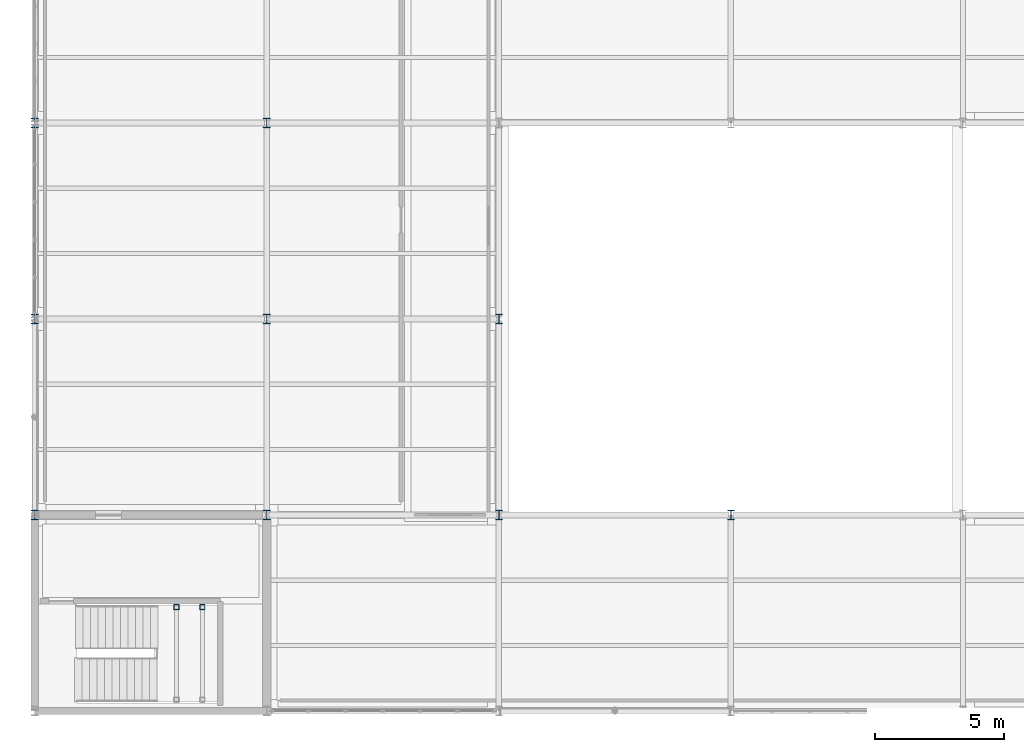
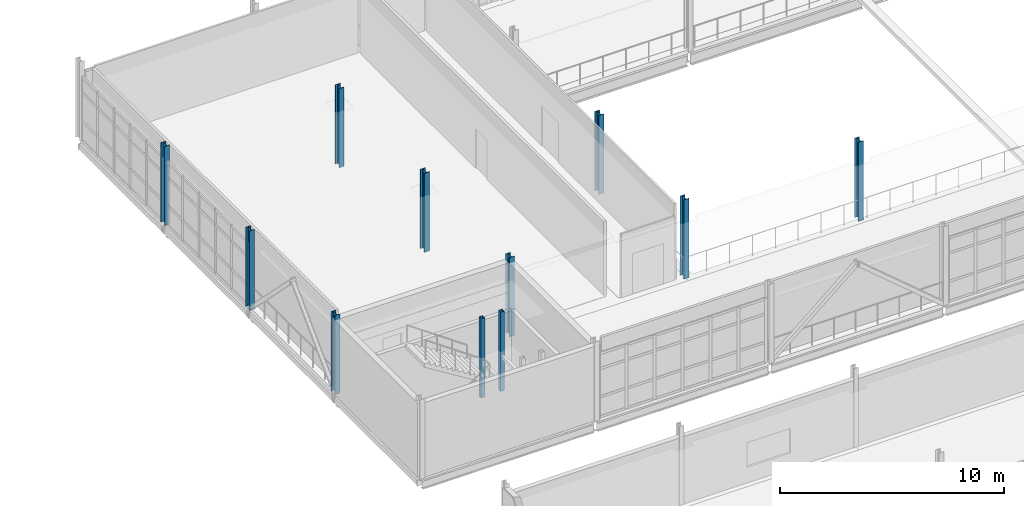
# One storey, part 5 of 174: 11 columns.
"""IFC4 building model written with IfcOpenShell, lengths in metres."""

import ifcopenshell
import ifcopenshell.guid

model = None  # the IFC model being written
_history = None  # IfcOwnerHistory: only IFC2X3 demands one
_inside = {}  # id of a spatial element -> (the spatial element, [elements in it])
_under = {}  # id of a project, library or spatial element -> (it, [spatial elements below it])
_declared = {}  # id of a project -> (the project, [libraries it declares])
_typed = {}  # id of a type object -> (the type object, [elements of that type])
_made_of = {}  # id of a material, layer set ... -> (it, [elements and type objects made of it])


def new_model(schema):
    """Start an empty IFC model of exactly this schema.

    Asked for "IFC4X3", IfcOpenShell would pick the latest addendum, in which some entities
    have other attributes; the version numbers below select the first issue.
    IFC2X3 requires an IfcOwnerHistory on every rooted entity: one is made here for all.
    """
    global model, _history
    if schema == "IFC4X3":
        model = ifcopenshell.file(schema_version=(4, 3, 0, 0))
    else:
        model = ifcopenshell.file(schema=schema)
    _inside.clear()
    _under.clear()
    _declared.clear()
    _typed.clear()
    _made_of.clear()
    _history = None
    if model.schema == "IFC2X3":
        org = make("IfcOrganization", Name="unknown")
        user = make(
            "IfcPersonAndOrganization",
            ThePerson=make("IfcPerson", FamilyName="unknown"),
            TheOrganization=org,
        )
        app = make(
            "IfcApplication",
            ApplicationDeveloper=org,
            Version="unknown",
            ApplicationFullName="unknown",
            ApplicationIdentifier="unknown",
        )
        _history = make(
            "IfcOwnerHistory",
            OwningUser=user,
            OwningApplication=app,
            ChangeAction="ADDED",
            CreationDate=0,
        )
    return model


def make(cls, **values):
    """One entity of the class cls with the attributes given. An attribute that is None is left unset."""
    return model.create_entity(
        cls, **{name: value for name, value in values.items() if value is not None}
    )


def rooted(cls, **values):
    """An entity with a GlobalId (a new one), such as an element, a storey or a relation."""
    return make(cls, GlobalId=ifcopenshell.guid.new(), OwnerHistory=_history, **values)


def si_unit(unit_type, name, prefix=None):
    """IfcSIUnit, for example si_unit("LENGTHUNIT", "METRE", prefix="MILLI")."""
    return make("IfcSIUnit", UnitType=unit_type, Prefix=prefix, Name=name)


def assignment(units):
    """IfcUnitAssignment: the units of a project."""
    return None if units is None else make("IfcUnitAssignment", Units=units)


def point(xyz):
    """IfcCartesianPoint."""
    return None if xyz is None else make("IfcCartesianPoint", Coordinates=xyz)


def direction(xyz):
    """IfcDirection."""
    return None if xyz is None else make("IfcDirection", DirectionRatios=xyz)


def frame(location, z_axis=None, x_axis=None):
    """IfcAxis2Placement3D, a coordinate frame: its origin and axes. An axis left out is left unset."""
    return make(
        "IfcAxis2Placement3D",
        Location=point(location),
        Axis=direction(z_axis),
        RefDirection=direction(x_axis),
    )


def frame_2d(location, x_axis=None):
    """IfcAxis2Placement2D, a coordinate frame in the plane: its origin and x axis."""
    return make(
        "IfcAxis2Placement2D", Location=point(location), RefDirection=direction(x_axis)
    )


def origin():
    """The frame at (0, 0, 0) with its axes left unset."""
    return frame((0.0, 0.0, 0.0))


def origin_2d():
    """The frame at (0, 0) in the plane with its x axis left unset."""
    return frame_2d((0.0, 0.0))


def place(relative_to, where):
    """IfcLocalPlacement: puts the frame where relative to a parent placement (None: the world)."""
    return make(
        "IfcLocalPlacement", PlacementRelTo=relative_to, RelativePlacement=where
    )


def context(
    kind, dimensions, precision=None, world=None, true_north=None, identifier=None
):
    """IfcGeometricRepresentationContext, for example the 3D "Model" context."""
    return make(
        "IfcGeometricRepresentationContext",
        ContextIdentifier=identifier,
        ContextType=kind,
        CoordinateSpaceDimension=dimensions,
        Precision=precision,
        WorldCoordinateSystem=world,
        TrueNorth=true_north,
    )


def subcontext(parent, identifier, kind, view, scale=None):
    """IfcGeometricRepresentationSubContext, for example "Body" below "Model"."""
    return make(
        "IfcGeometricRepresentationSubContext",
        ContextIdentifier=identifier,
        ContextType=kind,
        ParentContext=parent,
        TargetScale=scale,
        TargetView=view,
    )


def project(units=None, contexts=None):
    """IfcProject with its units and contexts."""
    return rooted(
        "IfcProject",
        Name="project",
        RepresentationContexts=contexts,
        UnitsInContext=assignment(units),
    )


def spatial(cls, under=None, at=None, **own):
    """A site, building, storey or space (cls), placed at a placement, below another one or the project."""
    s = rooted(cls, ObjectPlacement=at, **own)
    if under is not None:
        _under.setdefault(under.id(), (under, []))[1].append(s)
    return s


def profile(cls, at=None, kind="AREA", **sizes):
    """A parametric profile (cls). Its sizes go by their IFC names, for example OverallWidth=200.0."""
    return make(cls, ProfileType=kind, Position=at, **sizes)


def hollow_rectangle(**sizes):
    """IfcRectangleHollowProfileDef."""
    return profile("IfcRectangleHollowProfileDef", **sizes)


def i_section(**sizes):
    """IfcIShapeProfileDef."""
    return profile("IfcIShapeProfileDef", **sizes)


def extrude(swept, where, along, depth):
    """IfcExtrudedAreaSolid: the profile swept, set in the frame where, extruded along a direction by depth."""
    return make(
        "IfcExtrudedAreaSolid",
        SweptArea=swept,
        Position=where,
        ExtrudedDirection=direction(along),
        Depth=depth,
    )


def shape(context_of_items, identifier, shape_type, items):
    """IfcShapeRepresentation: the items that make up one representation, for example the "Body"."""
    return make(
        "IfcShapeRepresentation",
        ContextOfItems=context_of_items,
        RepresentationIdentifier=identifier,
        RepresentationType=shape_type,
        Items=items,
    )


def material(Name=None, Category=None):
    """IfcMaterial."""
    return make("IfcMaterial", Name=Name, Category=Category)


def material_profile(
    of_material, cross_section, Name=None, Category=None, Priority=None
):
    """IfcMaterialProfile: a cross section and its material."""
    return make(
        "IfcMaterialProfile",
        Name=Name,
        Material=of_material,
        Profile=cross_section,
        Priority=Priority,
        Category=Category,
    )


def profile_set(profiles, Name=None, composite=None):
    """IfcMaterialProfileSet."""
    return make(
        "IfcMaterialProfileSet",
        Name=Name,
        MaterialProfiles=profiles,
        CompositeProfile=composite,
    )


def made_of(thing, what):
    """Note that an element or type object is made of a material, layer set ...; save() writes the relation."""
    if what is not None:
        _made_of.setdefault(what.id(), (what, []))[1].append(thing)
    return thing


def type_object(cls, material=None, **own):
    """A type object (cls), such as IfcWallType, which elements share."""
    return made_of(rooted(cls, **own), material)


def element(
    cls,
    number,
    at=None,
    inside=None,
    cuts=None,
    type_object=None,
    material=None,
    context=None,
    identifier="Body",
    shape_type=None,
    held_by="IfcProductDefinitionShape",
    body=None,
    shapes=None,
    **own,
):
    """One element of the class cls, such as IfcWall. Its Tag is "e" and its number.

    at: its placement. inside: the storey or other place that contains it. cuts: it is an
    opening in that element (IfcRelVoidsElement). A single representation is given by context,
    identifier, shape_type and body (its items); several are given by shapes. held_by: the class
    of the entity that holds the representations. save() writes the other relations.
    """
    e = rooted(cls, Tag="e%d" % number, ObjectPlacement=at, **own)
    if body is not None:
        shapes = [shape(context, identifier, shape_type, body)]
    if shapes is not None:
        e.Representation = make(held_by, Representations=shapes)
    if inside is not None:
        _inside.setdefault(inside.id(), (inside, []))[1].append(e)
    if cuts is not None:
        rooted(
            "IfcRelVoidsElement", RelatingBuildingElement=cuts, RelatedOpeningElement=e
        )
    if type_object is not None:
        _typed.setdefault(type_object.id(), (type_object, []))[1].append(e)
    return made_of(e, material)


def aggregate(whole, parts):
    """IfcRelAggregates: a whole, such as a stair, and the parts it consists of."""
    return rooted("IfcRelAggregates", RelatingObject=whole, RelatedObjects=parts)


def save(model, path):
    """Write the relations noted so far, then the file.

    IfcRelAggregates (storeys below a building ...), IfcRelContainedInSpatialStructure (elements
    in a storey), IfcRelDefinesByType, IfcRelAssociatesMaterial and IfcRelDeclares: one each for
    every whole, place, type object, material and project.
    """
    for whole, parts in _under.values():
        aggregate(whole, parts)
    for where, things in _inside.values():
        rooted(
            "IfcRelContainedInSpatialStructure",
            RelatedElements=things,
            RelatingStructure=where,
        )
    for kind, things in _typed.values():
        rooted("IfcRelDefinesByType", RelatedObjects=things, RelatingType=kind)
    for what, things in _made_of.values():
        rooted("IfcRelAssociatesMaterial", RelatedObjects=things, RelatingMaterial=what)
    for by, libraries in _declared.values():
        rooted("IfcRelDeclares", RelatingContext=by, RelatedDefinitions=libraries)
    model.write(path)


model = new_model("IFC4")

# Units and contexts
model_context = context("Model", 3, precision=1e-05, world=origin(), true_north=direction((0.0, 1.0)))
body_context = subcontext(model_context, "Body", "Model", "MODEL_VIEW")
ifc_project = project(units=[si_unit("LENGTHUNIT", "METRE"), si_unit("AREAUNIT", "SQUARE_METRE"), si_unit("VOLUMEUNIT", "CUBIC_METRE"), si_unit("PLANEANGLEUNIT", "RADIAN"), si_unit("MASSUNIT", "GRAM", prefix="KILO")], contexts=[model_context])

# Site, building, storey
site_placement = place(None, origin())
site = spatial("IfcSite", under=ifc_project, at=site_placement, CompositionType="ELEMENT")
building_placement = place(site_placement, origin())
building = spatial("IfcBuilding", under=site, at=building_placement, Name="Caisbarro Railhouse Central Library", CompositionType="ELEMENT")
storey_placement = place(building_placement, frame((0.0, 0.0, 5.0400390625)))
storey = spatial("IfcBuildingStorey", under=building, at=storey_placement, Name="L01", CompositionType="ELEMENT", Elevation=5.0400390625)

# Columns
ifc_material = material(Name="Steel ASTM A572 Grade 50", Category="steel")
ifc_material_profile_1 = material_profile(ifc_material, i_section(OverallWidth=0.257080078125, OverallDepth=0.363037109375, WebThickness=0.012939453125, FlangeThickness=0.021728515625, FilletRadius=0.014892578125, at=origin_2d()), Name="W360X122.0")
ifc_profile_set_1 = profile_set([ifc_material_profile_1], Name="Steel ASTM A572 Grade 50")
column_type_1 = type_object("IfcColumnType", Name="COL-C04", PredefinedType="COLUMN", material=ifc_profile_set_1)
for number, where, z_axis, x_axis, name in (
    (1, (0.0, 38.0, 0.0), (0.0, 0.0, 1.0), (1.0, 0.0, 0.0), "C04 column L01 (0.0,38.0)"),
    (2, (0.0, 45.60009765625, 0.0), (0.0, 0.0, 1.0), (1.0, 0.0, 0.0), "C04 column L01 (0.0,45.6)"),
    (3, (0.0, 53.199951171875, 0.0), (0.0, 0.0, 1.0), (1.0, 0.0, 0.0), "C04 column L01 (0.0,53.2)"),
    (4, (9.0, 38.0, 0.0), (0.0, 0.0, 1.0), (1.0, 0.0, 0.0), "C04 column L01 (9.0,38.0)"),
    (5, (9.0, 45.60009765625, 0.0), (0.0, 0.0, 1.0), (1.0, 0.0, 0.0), "C04 column L01 (9.0,45.6)"),
    (6, (9.0, 53.199951171875, 0.0), (0.0, 0.0, 1.0), (1.0, 0.0, 0.0), "C04 column L01 (9.0,53.2)"),
    (7, (18.0, 38.0, 0.0), (0.0, 0.0, 1.0), (1.0, 0.0, 0.0), "C04 column L01 (18.0,38.0)"),
    (8, (18.0, 45.60009765625, 0.0), (0.0, 0.0, 1.0), (1.0, 0.0, 0.0), "C04 column L01 (18.0,45.6)"),
    (9, (27.0, 38.0, 0.0), (0.0, 0.0, 1.0), (1.0, 0.0, 0.0), "C04 column L01 (27.0,38.0)"),
):
    element("IfcColumn", number, at=place(storey_placement, frame(where, z_axis=z_axis, x_axis=x_axis)), inside=storey, type_object=column_type_1, Name=name, PredefinedType="COLUMN", context=body_context, shape_type="SweptSolid", body=[
        extrude(i_section(OverallWidth=0.257080078125, OverallDepth=0.363037109375, WebThickness=0.012939453125, FlangeThickness=0.021728515625, FilletRadius=0.014892578125, at=origin_2d()), origin(), (0.0, 0.0, 1.0), 4.320068359375),
    ])
ifc_material_profile_2 = material_profile(ifc_material, hollow_rectangle(XDim=0.199951171875, YDim=0.199951171875, WallThickness=0.012451171875, at=origin_2d()), Name="HSS200X200X12.5")
ifc_profile_set_2 = profile_set([ifc_material_profile_2], Name="Steel ASTM A572 Grade 50")
column_type_2 = type_object("IfcColumnType", Name="COL-C10", PredefinedType="COLUMN", material=ifc_profile_set_2)
for number, where, z_axis, x_axis, name in (
    (10, (5.5, 34.429931640625, 0.0), (0.0, 0.0, 1.0), (1.0, 0.0, 0.0), "C10 Stair Landing Post K6 L01.2"),
    (11, (6.5, 34.429931640625, 0.0), (0.0, 0.0, 1.0), (1.0, 0.0, 0.0), "C10 Stair Landing Post K6 L01.4"),
):
    element("IfcColumn", number, at=place(storey_placement, frame(where, z_axis=z_axis, x_axis=x_axis)), inside=storey, type_object=column_type_2, Name=name, PredefinedType="COLUMN", context=body_context, shape_type="SweptSolid", body=[
        extrude(hollow_rectangle(XDim=0.199951171875, YDim=0.199951171875, WallThickness=0.012451171875, at=origin_2d()), origin(), (0.0, 0.0, 1.0), 4.320068359375),
    ])

save(model, "model.ifc")
